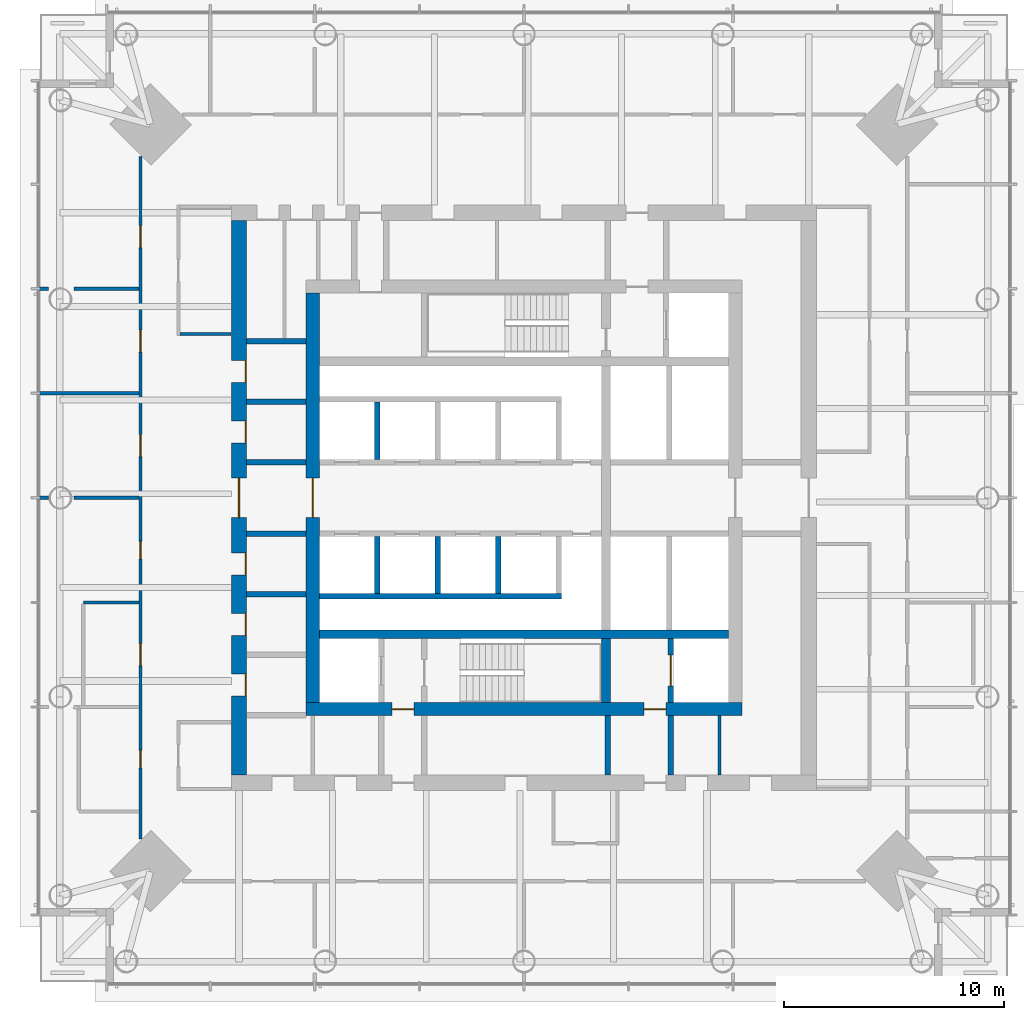
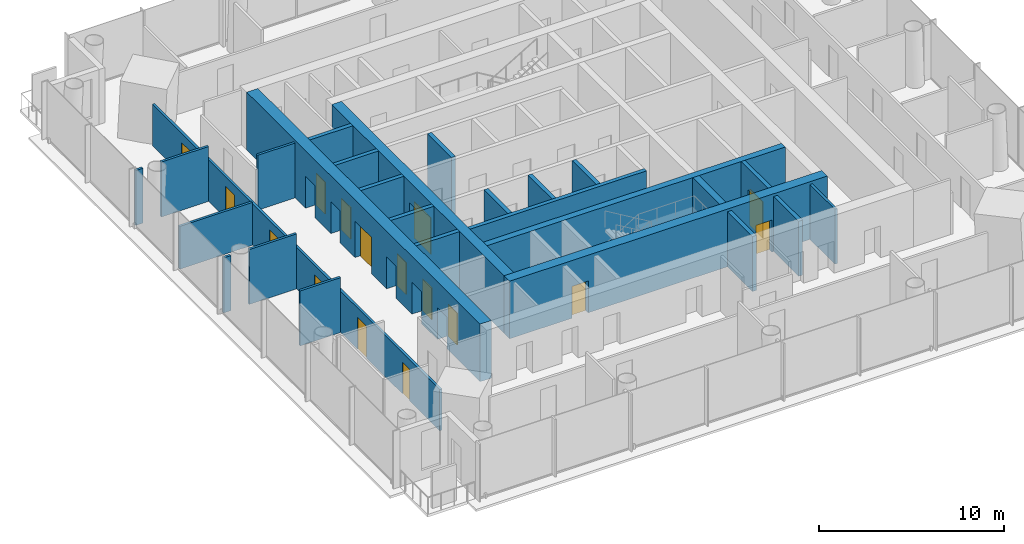
# One storey, part 9 of 27: 27 walls, 16 doors, 16 openings.
"""IFC4 building model written with IfcOpenShell, lengths in metres."""

from ifc_helpers import new_model, si_unit, direction, frame, frame_2d, origin, place, context, subcontext, project, spatial, rectangle, extrude, material, layer, layer_set, type_object, element, fill, save


model = new_model("IFC4")

# Units and contexts
model_context = context("Model", 3, precision=1e-05, world=origin(), true_north=direction((0.0, 1.0)))
body_context = subcontext(model_context, "Body", "Model", "MODEL_VIEW")
ifc_project = project(units=[si_unit("LENGTHUNIT", "METRE"), si_unit("AREAUNIT", "SQUARE_METRE"), si_unit("VOLUMEUNIT", "CUBIC_METRE"), si_unit("PLANEANGLEUNIT", "RADIAN"), si_unit("MASSUNIT", "GRAM", prefix="KILO")], contexts=[model_context])

# Site, building, storey
site_placement = place(None, origin())
site = spatial("IfcSite", under=ifc_project, at=site_placement, CompositionType="ELEMENT")
building_placement = place(site_placement, origin())
building = spatial("IfcBuilding", under=site, at=building_placement, Name="Ostroluk Exchange", CompositionType="ELEMENT")
storey_placement = place(building_placement, frame((0.0, 0.0, 112.199951171875)))
storey = spatial("IfcBuildingStorey", under=building, at=storey_placement, Name="L28", CompositionType="ELEMENT", Elevation=112.199951171875)

# Walls
ifc_material_1 = material(Name="Concrete blockwork", Category="masonry")
ifc_layer_1 = layer(ifc_material_1, 0.14990234375)
ifc_layer_set_1 = layer_set([ifc_layer_1], Name="Blockwork plant room wall 150")
wall_type_1 = type_object("IfcWallType", Name="Blockwork plant room wall 150", PredefinedType="SOLIDWALL", material=ifc_layer_set_1)
wall_1_placement = place(storey_placement, frame((53.887939453125, 33.39990234375, 0.0), z_axis=(0.0, 0.0, 1.0), x_axis=(0.0, 1.0, 0.0)))
element("IfcWall", 1, at=wall_1_placement, inside=storey, type_object=wall_type_1, Name="Core room wall", PredefinedType="SOLIDWALL", context=body_context, shape_type="SweptSolid", body=[
    extrude(rectangle(XDim=2.7001953125, YDim=0.14990234375, at=frame_2d((1.35009765625, 0.0))), origin(), (0.0, 0.0, 1.0), 3.6201171875),
])
ifc_material_2 = material(Name="Concrete blockwork", Category="masonry")
ifc_layer_2 = layer(ifc_material_2, 0.25)
ifc_layer_set_2 = layer_set([ifc_layer_2], Name="Blockwork stair enclosure wall 250")
wall_type_2 = type_object("IfcWallType", Name="Blockwork stair enclosure wall 250", PredefinedType="SOLIDWALL", material=ifc_layer_set_2)
for number, where, z_axis, x_axis, name in (
    (2, (48.804931640625, 33.39990234375, 0.0), (0.0, 0.0, 1.0), (0.0, 1.0, 0.0), "Service lobby enclosure wall"),
    (3, (51.675048828125, 33.39990234375, 0.0), (0.0, 0.0, 1.0), (0.0, 1.0, 0.0), "Service lobby enclosure wall"),
):
    element("IfcWall", number, at=place(storey_placement, frame(where, z_axis=z_axis, x_axis=x_axis)), inside=storey, type_object=wall_type_2, Name=name, PredefinedType="SOLIDWALL", context=body_context, shape_type="SweptSolid", body=[
        extrude(rectangle(XDim=2.7001953125, YDim=0.25, at=frame_2d((1.35009765625, 0.0))), origin(), (0.0, 0.0, 1.0), 3.6201171875),
    ])
ifc_material_3 = material(Name="Concrete C50/60", Category="concrete")
ifc_layer_3 = layer(ifc_material_3, 0.39990234375)
ifc_layer_set_3 = layer_set([ifc_layer_3], Name="Core cross wall 400 C50/60")
wall_type_3 = type_object("IfcWallType", Name="Core cross wall 400 C50/60", PredefinedType="SHEAR", material=ifc_layer_set_3)
wall_2_placement = place(storey_placement, frame((35.699951171875, 39.800048828125, 0.0), z_axis=(0.0, 0.0, 1.0), x_axis=(1.0, 0.0, 0.0)))
element("IfcWall", 4, at=wall_2_placement, inside=storey, type_object=wall_type_3, Name="T1 core wall XS", PredefinedType="SHEAR", context=body_context, shape_type="SweptSolid", body=[
    extrude(rectangle(XDim=18.60009765625, YDim=0.39990234375, at=frame_2d((9.300048828125, 0.0))), origin(), (0.0, 0.0, 1.0), 3.800048828125),
])
wall_3_placement = place(storey_placement, frame((48.72998046875, 36.699951171875, 0.0), z_axis=(0.0, 0.0, 1.0), x_axis=(0.0, 1.0, 0.0)))
element("IfcWall", 5, at=wall_3_placement, inside=storey, type_object=wall_type_3, Name="T1 core wall YE1", PredefinedType="SHEAR", context=body_context, shape_type="SweptSolid", body=[
    extrude(rectangle(XDim=2.900146484375, YDim=0.39990234375, at=frame_2d((1.4501953125, 0.0))), origin(), (0.0, 0.0, 1.0), 3.800048828125),
])

# Wall, opening, door
ifc_material_4 = material(Name="Concrete C40/50", Category="concrete")
ifc_layer_4 = layer(ifc_material_4, 0.25)
ifc_layer_set_4 = layer_set([ifc_layer_4], Name="Core shaft wall 250")
wall_type_4 = type_object("IfcWallType", Name="Core shaft wall 250", PredefinedType="SHEAR", material=ifc_layer_set_4)
wall_4_placement = place(storey_placement, frame((51.675048828125, 36.699951171875, 0.0), z_axis=(0.0, 0.0, 1.0), x_axis=(0.0, 1.0, 0.0)))
wall_4 = element("IfcWall", 6, at=wall_4_placement, inside=storey, type_object=wall_type_4, Name="Service lift shaft wall", PredefinedType="SHEAR", context=body_context, shape_type="SweptSolid", body=[
    extrude(rectangle(XDim=2.900146484375, YDim=0.25, at=frame_2d((1.4501953125, 0.0))), origin(), (0.0, 0.0, 1.0), 3.800048828125),
])
opening_1_placement = place(wall_4_placement, frame((0.75, 0.0, 0.0)))
opening_1 = element("IfcOpeningElement", 7, at=opening_1_placement, cuts=wall_4, Name="Opening LD3", PredefinedType="OPENING", context=body_context, shape_type="SweptSolid", body=[
    extrude(rectangle(XDim=1.39990234375, YDim=2.39990234375, at=frame_2d((0.699951171875, 1.199951171875))), frame((0.0, 0.135009765625, 0.0), z_axis=(0.0, -1.0, 0.0), x_axis=(1.0, 0.0, 0.0)), (0.0, 0.0, 1.0), 0.27001953125),
])
ifc_material_5 = material(Name="Stainless steel", Category="steel")
door_type_1 = type_object("IfcDoorType", Name="Goods lift landing door E 60 1400 x 2400", OperationType="DOUBLE_DOOR_SLIDING", PredefinedType="DOOR", material=ifc_material_5)
door_1_placement = place(opening_1_placement, origin())
door_1 = element("IfcDoor", 8, at=door_1_placement, inside=storey, type_object=door_type_1, Name="Lift SL1 landing door", OperationType="DOUBLE_DOOR_SLIDING", OverallHeight=2.39990234375, OverallWidth=1.39990234375, PredefinedType="DOOR", context=body_context, shape_type="SweptSolid", body=[
    extrude(rectangle(XDim=1.39990234375, YDim=2.39990234375, at=frame_2d((0.699951171875, 1.199951171875))), frame((0.0, 0.02490234375, 0.0), z_axis=(0.0, -1.0, 0.0), x_axis=(1.0, 0.0, 0.0)), (0.0, 0.0, 1.0), 0.050048828125),
])
fill(opening_1, door_1)

# Walls
for number, where, z_axis, x_axis, name in (
    (9, (38.324951171875, 47.75, 0.0), (0.0, 0.0, 1.0), (0.0, 1.0, 0.0), "Lift shaft wall"),
    (10, (38.324951171875, 44.25, 0.0), (0.0, 0.0, 1.0), (0.0, -1.0, 0.0), "Lift shaft wall"),
    (11, (41.074951171875, 44.25, 0.0), (0.0, 0.0, 1.0), (0.0, -1.0, 0.0), "Lift shaft wall"),
    (12, (43.824951171875, 44.25, 0.0), (0.0, 0.0, 1.0), (0.0, -1.0, 0.0), "Lift shaft wall"),
):
    element("IfcWall", number, at=place(storey_placement, frame(where, z_axis=z_axis, x_axis=x_axis)), inside=storey, type_object=wall_type_4, Name=name, PredefinedType="SHEAR", context=body_context, shape_type="SweptSolid", body=[
        extrude(rectangle(XDim=2.60009765625, YDim=0.25, at=frame_2d((1.300048828125, 0.0))), origin(), (0.0, 0.0, 1.0), 3.800048828125),
    ])
wall_5_placement = place(storey_placement, frame((35.699951171875, 41.52490234375, 0.0), z_axis=(0.0, 0.0, 1.0), x_axis=(1.0, 0.0, 0.0)))
element("IfcWall", 13, at=wall_5_placement, inside=storey, type_object=wall_type_4, Name="Lift shaft wall", PredefinedType="SHEAR", context=body_context, shape_type="SweptSolid", body=[
    extrude(rectangle(XDim=11.0, YDim=0.25, at=frame_2d((5.5, 0.0))), origin(), (0.0, 0.0, 1.0), 3.800048828125),
])
for number, where, z_axis, x_axis, name in (
    (14, (32.39990234375, 41.625, 0.0), (0.0, 0.0, 1.0), (1.0, 0.0, 0.0), "Lift shaft wall"),
    (15, (32.39990234375, 44.375, 0.0), (0.0, 0.0, 1.0), (1.0, 0.0, 0.0), "Lift shaft wall"),
    (16, (32.39990234375, 47.625, 0.0), (0.0, 0.0, 1.0), (1.0, 0.0, 0.0), "Lift shaft wall"),
    (17, (32.39990234375, 50.375, 0.0), (0.0, 0.0, 1.0), (1.0, 0.0, 0.0), "Lift shaft wall"),
    (18, (32.39990234375, 53.125, 0.0), (0.0, 0.0, 1.0), (1.0, 0.0, 0.0), "Lift shaft wall"),
):
    element("IfcWall", number, at=place(storey_placement, frame(where, z_axis=z_axis, x_axis=x_axis)), inside=storey, type_object=wall_type_4, Name=name, PredefinedType="SHEAR", context=body_context, shape_type="SweptSolid", body=[
        extrude(rectangle(XDim=2.7001953125, YDim=0.25, at=frame_2d((1.35009765625, 0.0))), origin(), (0.0, 0.0, 1.0), 3.800048828125),
    ])

# Wall, openings, doors
ifc_material_6 = material(Name="Concrete C50/60", Category="concrete")
ifc_layer_5 = layer(ifc_material_6, 0.60009765625)
ifc_layer_set_5 = layer_set([ifc_layer_5], Name="Core wall 600 C50/60")
wall_type_5 = type_object("IfcWallType", Name="Core wall 600 C50/60", PredefinedType="SHEAR", material=ifc_layer_set_5)
wall_6_placement = place(storey_placement, frame((35.10009765625, 36.39990234375, 0.0), z_axis=(0.0, 0.0, 1.0), x_axis=(1.0, 0.0, 0.0)))
wall_6 = element("IfcWall", 19, at=wall_6_placement, inside=storey, type_object=wall_type_5, Name="T1 core wall S", PredefinedType="SHEAR", context=body_context, shape_type="SweptSolid", body=[
    extrude(rectangle(XDim=19.7998046875, YDim=0.60009765625, at=frame_2d((9.89990234375, 0.0))), origin(), (0.0, 0.0, 1.0), 3.800048828125),
])
opening_2_placement = place(wall_6_placement, frame((3.89990234375, 0.0, 0.0)))
opening_2 = element("IfcOpeningElement", 20, at=opening_2_placement, cuts=wall_6, Name="Opening FD60", PredefinedType="OPENING", context=body_context, shape_type="SweptSolid", body=[
    extrude(rectangle(XDim=1.0, YDim=2.10009765625, at=frame_2d((0.5, 1.050048828125))), frame((0.0, 0.31005859375, 0.0), z_axis=(0.0, -1.0, 0.0), x_axis=(1.0, 0.0, 0.0)), (0.0, 0.0, 1.0), 0.6201171875),
])
opening_3_placement = place(wall_6_placement, frame((15.35009765625, 0.0, 0.0)))
opening_3 = element("IfcOpeningElement", 21, at=opening_3_placement, cuts=wall_6, Name="Opening FD60", PredefinedType="OPENING", context=body_context, shape_type="SweptSolid", body=[
    extrude(rectangle(XDim=1.0, YDim=2.10009765625, at=frame_2d((0.5, 1.050048828125))), frame((0.0, 0.31005859375, 0.0), z_axis=(0.0, -1.0, 0.0), x_axis=(1.0, 0.0, 0.0)), (0.0, 0.0, 1.0), 0.6201171875),
])
ifc_material_7 = material(Name="Steel", Category="steel")
door_type_2 = type_object("IfcDoorType", Name="Fire door EI 60 1000 x 2100", OperationType="SINGLE_SWING_LEFT", PredefinedType="DOOR", material=ifc_material_7)
door_2_placement = place(opening_2_placement, origin())
door_2 = element("IfcDoor", 22, at=door_2_placement, inside=storey, type_object=door_type_2, Name="Firefighting lobby door", OperationType="SINGLE_SWING_LEFT", OverallHeight=2.10009765625, OverallWidth=1.0, PredefinedType="DOOR", context=body_context, shape_type="SweptSolid", body=[
    extrude(rectangle(XDim=1.0, YDim=2.10009765625, at=frame_2d((0.5, 1.050048828125))), frame((0.0, 0.02490234375, 0.0), z_axis=(0.0, -1.0, 0.0), x_axis=(1.0, 0.0, 0.0)), (0.0, 0.0, 1.0), 0.050048828125),
])
fill(opening_2, door_2)
door_3_placement = place(opening_3_placement, origin())
door_3 = element("IfcDoor", 23, at=door_3_placement, inside=storey, type_object=door_type_2, Name="Service lobby door", OperationType="SINGLE_SWING_RIGHT", OverallHeight=2.10009765625, OverallWidth=1.0, PredefinedType="DOOR", context=body_context, shape_type="SweptSolid", body=[
    extrude(rectangle(XDim=1.0, YDim=2.10009765625, at=frame_2d((0.5, 1.050048828125))), frame((0.0, 0.02490234375, 0.0), z_axis=(0.0, -1.0, 0.0), x_axis=(1.0, 0.0, 0.0)), (0.0, 0.0, 1.0), 0.050048828125),
])
fill(opening_3, door_3)

# Wall, opening, door
wall_7_placement = place(storey_placement, frame((35.39990234375, 36.699951171875, 0.0), z_axis=(0.0, 0.0, 1.0), x_axis=(0.0, 1.0, 0.0)))
wall_7 = element("IfcWall", 24, at=wall_7_placement, inside=storey, type_object=wall_type_5, Name="T1 core wall W", PredefinedType="SHEAR", context=body_context, shape_type="SweptSolid", body=[
    extrude(rectangle(XDim=18.60009765625, YDim=0.60009765625, at=frame_2d((9.300048828125, 0.0))), origin(), (0.0, 0.0, 1.0), 3.800048828125),
])
opening_4_placement = place(wall_7_placement, frame((8.39990234375, 0.0, 0.0)))
opening_4 = element("IfcOpeningElement", 25, at=opening_4_placement, cuts=wall_7, Name="Opening FD30D", PredefinedType="OPENING", context=body_context, shape_type="SweptSolid", body=[
    extrude(rectangle(XDim=1.800048828125, YDim=2.39990234375, at=frame_2d((0.89990234375, 1.199951171875))), frame((0.0, 0.31005859375, 0.0), z_axis=(0.0, -1.0, 0.0), x_axis=(1.0, 0.0, 0.0)), (0.0, 0.0, 1.0), 0.6201171875),
])
ifc_material_8 = material(Name="Timber", Category="wood")
door_type_3 = type_object("IfcDoorType", Name="Lobby double door EI 30 1800 x 2400", OperationType="DOUBLE_DOOR_SINGLE_SWING", PredefinedType="DOOR", material=ifc_material_8)
door_4_placement = place(opening_4_placement, origin())
door_4 = element("IfcDoor", 26, at=door_4_placement, inside=storey, type_object=door_type_3, Name="Lift lobby doors", OperationType="DOUBLE_DOOR_SINGLE_SWING", OverallHeight=2.39990234375, OverallWidth=1.800048828125, PredefinedType="DOOR", context=body_context, shape_type="SweptSolid", body=[
    extrude(rectangle(XDim=1.800048828125, YDim=2.39990234375, at=frame_2d((0.89990234375, 1.199951171875))), frame((0.0, 0.02490234375, 0.0), z_axis=(0.0, -1.0, 0.0), x_axis=(1.0, 0.0, 0.0)), (0.0, 0.0, 1.0), 0.050048828125),
])
fill(opening_4, door_4)

# Wall, openings, doors
ifc_material_9 = material(Name="Concrete C50/60", Category="concrete")
ifc_layer_6 = layer(ifc_material_9, 0.699951171875)
ifc_layer_set_6 = layer_set([ifc_layer_6], Name="Core wall 700 C50/60")
wall_type_6 = type_object("IfcWallType", Name="Core wall 700 C50/60", PredefinedType="SHEAR", material=ifc_layer_set_6)
wall_8_placement = place(storey_placement, frame((32.050048828125, 33.39990234375, 0.0), z_axis=(0.0, 0.0, 1.0), x_axis=(0.0, 1.0, 0.0)))
wall_8 = element("IfcWall", 27, at=wall_8_placement, inside=storey, type_object=wall_type_6, Name="T1 core wall RW", PredefinedType="SHEAR", context=body_context, shape_type="SweptSolid", body=[
    extrude(rectangle(XDim=25.2001953125, YDim=0.699951171875, at=frame_2d((12.60009765625, 0.0))), origin(), (0.0, 0.0, 1.0), 3.800048828125),
])
opening_5_placement = place(wall_8_placement, frame((11.699951171875, 0.0, 0.0)))
opening_5 = element("IfcOpeningElement", 28, at=opening_5_placement, cuts=wall_8, Name="Opening FD30D", PredefinedType="OPENING", context=body_context, shape_type="SweptSolid", body=[
    extrude(rectangle(XDim=1.800048828125, YDim=2.39990234375, at=frame_2d((0.89990234375, 1.199951171875))), frame((0.0, 0.35986328125, 0.0), z_axis=(0.0, -1.0, 0.0), x_axis=(1.0, 0.0, 0.0)), (0.0, 0.0, 1.0), 0.719970703125),
])
opening_6_placement = place(wall_8_placement, frame((3.60009765625, 0.0, 0.0)))
opening_6 = element("IfcOpeningElement", 29, at=opening_6_placement, cuts=wall_8, Name="Opening FD60", PredefinedType="OPENING", context=body_context, shape_type="SweptSolid", body=[
    extrude(rectangle(XDim=1.0, YDim=2.10009765625, at=frame_2d((0.5, 1.050048828125))), frame((0.0, 0.35986328125, 0.0), z_axis=(0.0, -1.0, 0.0), x_axis=(1.0, 0.0, 0.0)), (0.0, 0.0, 1.0), 0.719970703125),
])
opening_7_placement = place(wall_8_placement, frame((6.35009765625, 0.0, 0.0)))
opening_7 = element("IfcOpeningElement", 30, at=opening_7_placement, cuts=wall_8, Name="Opening FD60", PredefinedType="OPENING", context=body_context, shape_type="SweptSolid", body=[
    extrude(rectangle(XDim=1.0, YDim=2.10009765625, at=frame_2d((0.5, 1.050048828125))), frame((0.0, 0.35986328125, 0.0), z_axis=(0.0, -1.0, 0.0), x_axis=(1.0, 0.0, 0.0)), (0.0, 0.0, 1.0), 0.719970703125),
])
opening_8_placement = place(wall_8_placement, frame((9.10009765625, 0.0, 0.0)))
opening_8 = element("IfcOpeningElement", 31, at=opening_8_placement, cuts=wall_8, Name="Opening FD60", PredefinedType="OPENING", context=body_context, shape_type="SweptSolid", body=[
    extrude(rectangle(XDim=1.0, YDim=2.10009765625, at=frame_2d((0.5, 1.050048828125))), frame((0.0, 0.35986328125, 0.0), z_axis=(0.0, -1.0, 0.0), x_axis=(1.0, 0.0, 0.0)), (0.0, 0.0, 1.0), 0.719970703125),
])
opening_9_placement = place(wall_8_placement, frame((15.10009765625, 0.0, 0.0)))
opening_9 = element("IfcOpeningElement", 32, at=opening_9_placement, cuts=wall_8, Name="Opening FD60", PredefinedType="OPENING", context=body_context, shape_type="SweptSolid", body=[
    extrude(rectangle(XDim=1.0, YDim=2.10009765625, at=frame_2d((0.5, 1.050048828125))), frame((0.0, 0.35986328125, 0.0), z_axis=(0.0, -1.0, 0.0), x_axis=(1.0, 0.0, 0.0)), (0.0, 0.0, 1.0), 0.719970703125),
])
opening_10_placement = place(wall_8_placement, frame((17.85009765625, 0.0, 0.0)))
opening_10 = element("IfcOpeningElement", 33, at=opening_10_placement, cuts=wall_8, Name="Opening FD60", PredefinedType="OPENING", context=body_context, shape_type="SweptSolid", body=[
    extrude(rectangle(XDim=1.0, YDim=2.10009765625, at=frame_2d((0.5, 1.050048828125))), frame((0.0, 0.35986328125, 0.0), z_axis=(0.0, -1.0, 0.0), x_axis=(1.0, 0.0, 0.0)), (0.0, 0.0, 1.0), 0.719970703125),
])
door_5_placement = place(opening_6_placement, origin())
door_5 = element("IfcDoor", 34, at=door_5_placement, inside=storey, type_object=door_type_2, Name="Tenant IT room door", OperationType="SINGLE_SWING_LEFT", OverallHeight=2.10009765625, OverallWidth=1.0, PredefinedType="DOOR", context=body_context, shape_type="SweptSolid", body=[
    extrude(rectangle(XDim=1.0, YDim=2.10009765625, at=frame_2d((0.5, 1.050048828125))), frame((0.0, -0.2900390625, 0.0), z_axis=(0.0, -1.0, 0.0), x_axis=(1.0, 0.0, 0.0)), (0.0, 0.0, 1.0), 0.050048828125),
])
fill(opening_6, door_5)
door_6_placement = place(opening_7_placement, origin())
door_6 = element("IfcDoor", 35, at=door_6_placement, inside=storey, type_object=door_type_2, Name="Store door", OperationType="SINGLE_SWING_LEFT", OverallHeight=2.10009765625, OverallWidth=1.0, PredefinedType="DOOR", context=body_context, shape_type="SweptSolid", body=[
    extrude(rectangle(XDim=1.0, YDim=2.10009765625, at=frame_2d((0.5, 1.050048828125))), frame((0.0, -0.2900390625, 0.0), z_axis=(0.0, -1.0, 0.0), x_axis=(1.0, 0.0, 0.0)), (0.0, 0.0, 1.0), 0.050048828125),
])
fill(opening_7, door_6)
door_7_placement = place(opening_8_placement, origin())
door_7 = element("IfcDoor", 36, at=door_7_placement, inside=storey, type_object=door_type_2, Name="Tenant IT room door", OperationType="SINGLE_SWING_LEFT", OverallHeight=2.10009765625, OverallWidth=1.0, PredefinedType="DOOR", context=body_context, shape_type="SweptSolid", body=[
    extrude(rectangle(XDim=1.0, YDim=2.10009765625, at=frame_2d((0.5, 1.050048828125))), frame((0.0, -0.2900390625, 0.0), z_axis=(0.0, -1.0, 0.0), x_axis=(1.0, 0.0, 0.0)), (0.0, 0.0, 1.0), 0.050048828125),
])
fill(opening_8, door_7)
door_8_placement = place(opening_9_placement, origin())
door_8 = element("IfcDoor", 37, at=door_8_placement, inside=storey, type_object=door_type_2, Name="Store door", OperationType="SINGLE_SWING_RIGHT", OverallHeight=2.10009765625, OverallWidth=1.0, PredefinedType="DOOR", context=body_context, shape_type="SweptSolid", body=[
    extrude(rectangle(XDim=1.0, YDim=2.10009765625, at=frame_2d((0.5, 1.050048828125))), frame((0.0, -0.2900390625, 0.0), z_axis=(0.0, -1.0, 0.0), x_axis=(1.0, 0.0, 0.0)), (0.0, 0.0, 1.0), 0.050048828125),
])
fill(opening_9, door_8)
door_9_placement = place(opening_10_placement, origin())
door_9 = element("IfcDoor", 38, at=door_9_placement, inside=storey, type_object=door_type_2, Name="Tenant IT room door", OperationType="SINGLE_SWING_RIGHT", OverallHeight=2.10009765625, OverallWidth=1.0, PredefinedType="DOOR", context=body_context, shape_type="SweptSolid", body=[
    extrude(rectangle(XDim=1.0, YDim=2.10009765625, at=frame_2d((0.5, 1.050048828125))), frame((0.0, -0.2900390625, 0.0), z_axis=(0.0, -1.0, 0.0), x_axis=(1.0, 0.0, 0.0)), (0.0, 0.0, 1.0), 0.050048828125),
])
fill(opening_10, door_9)
door_10_placement = place(opening_5_placement, origin())
door_10 = element("IfcDoor", 39, at=door_10_placement, inside=storey, type_object=door_type_3, Name="Lift lobby doors", OperationType="DOUBLE_DOOR_SINGLE_SWING", OverallHeight=2.39990234375, OverallWidth=1.800048828125, PredefinedType="DOOR", context=body_context, shape_type="SweptSolid", body=[
    extrude(rectangle(XDim=1.800048828125, YDim=2.39990234375, at=frame_2d((0.89990234375, 1.199951171875))), frame((0.0, 0.02490234375, 0.0), z_axis=(0.0, -1.0, 0.0), x_axis=(1.0, 0.0, 0.0)), (0.0, 0.0, 1.0), 0.050048828125),
])
fill(opening_5, door_10)

# Wall
ifc_material_10 = material(Name="Gypsum plasterboard partition", Category="gypsum")
ifc_layer_7 = layer(ifc_material_10, 0.14990234375)
ifc_layer_set_7 = layer_set([ifc_layer_7], Name="Plasterboard partition 150")
wall_type_7 = type_object("IfcWallType", Name="Plasterboard partition 150", PredefinedType="PARTITIONING", material=ifc_layer_set_7)
wall_9_placement = place(storey_placement, frame((31.699951171875, 53.449951171875, 0.0), z_axis=(0.0, 0.0, 1.0), x_axis=(-1.0, 0.0, 0.0)))
element("IfcWall", 40, at=wall_9_placement, inside=storey, type_object=wall_type_7, Name="Partition", PredefinedType="PARTITIONING", context=body_context, shape_type="SweptSolid", body=[
    extrude(rectangle(XDim=2.324951171875, YDim=0.14990234375, at=frame_2d((1.16259765625, 0.0))), origin(), (0.0, 0.0, 1.0), 3.6201171875),
])

# Wall, openings, doors
wall_10_placement = place(storey_placement, frame((27.574951171875, 61.511474609375, 0.0), z_axis=(0.0, 0.0, 1.0), x_axis=(0.0, -1.0, 0.0)))
wall_10 = element("IfcWall", 41, at=wall_10_placement, inside=storey, type_object=wall_type_7, Name="Partition", PredefinedType="PARTITIONING", context=body_context, shape_type="SweptSolid", body=[
    extrude(rectangle(XDim=31.02294921875, YDim=0.14990234375, at=frame_2d((15.511474609375, 0.0))), origin(), (0.0, 0.0, 1.0), 2.719970703125),
])
opening_11_placement = place(wall_10_placement, frame((3.136474609375, 0.0, 0.0)))
opening_11 = element("IfcOpeningElement", 42, at=opening_11_placement, cuts=wall_10, Name="Opening D-03", PredefinedType="OPENING", context=body_context, shape_type="SweptSolid", body=[
    extrude(rectangle(XDim=1.0, YDim=2.10009765625, at=frame_2d((0.5, 1.050048828125))), frame((0.0, 0.0849609375, 0.0), z_axis=(0.0, -1.0, 0.0), x_axis=(1.0, 0.0, 0.0)), (0.0, 0.0, 1.0), 0.169921875),
])
opening_12_placement = place(wall_10_placement, frame((7.886474609375, 0.0, 0.0)))
opening_12 = element("IfcOpeningElement", 43, at=opening_12_placement, cuts=wall_10, Name="Opening D-03", PredefinedType="OPENING", context=body_context, shape_type="SweptSolid", body=[
    extrude(rectangle(XDim=1.0, YDim=2.10009765625, at=frame_2d((0.5, 1.050048828125))), frame((0.0, 0.0849609375, 0.0), z_axis=(0.0, -1.0, 0.0), x_axis=(1.0, 0.0, 0.0)), (0.0, 0.0, 1.0), 0.169921875),
])
opening_13_placement = place(wall_10_placement, frame((12.636474609375, 0.0, 0.0)))
opening_13 = element("IfcOpeningElement", 44, at=opening_13_placement, cuts=wall_10, Name="Opening D-03", PredefinedType="OPENING", context=body_context, shape_type="SweptSolid", body=[
    extrude(rectangle(XDim=1.0, YDim=2.10009765625, at=frame_2d((0.5, 1.050048828125))), frame((0.0, 0.0849609375, 0.0), z_axis=(0.0, -1.0, 0.0), x_axis=(1.0, 0.0, 0.0)), (0.0, 0.0, 1.0), 0.169921875),
])
opening_14_placement = place(wall_10_placement, frame((17.486572265625, 0.0, 0.0)))
opening_14 = element("IfcOpeningElement", 45, at=opening_14_placement, cuts=wall_10, Name="Opening D-06", PredefinedType="OPENING", context=body_context, shape_type="SweptSolid", body=[
    extrude(rectangle(XDim=0.800048828125, YDim=2.10009765625, at=frame_2d((0.39990234375, 1.050048828125))), frame((0.0, 0.0849609375, 0.0), z_axis=(0.0, -1.0, 0.0), x_axis=(1.0, 0.0, 0.0)), (0.0, 0.0, 1.0), 0.169921875),
])
opening_15_placement = place(wall_10_placement, frame((22.136474609375, 0.0, 0.0)))
opening_15 = element("IfcOpeningElement", 46, at=opening_15_placement, cuts=wall_10, Name="Opening D-03", PredefinedType="OPENING", context=body_context, shape_type="SweptSolid", body=[
    extrude(rectangle(XDim=1.0, YDim=2.10009765625, at=frame_2d((0.5, 1.050048828125))), frame((0.0, 0.0849609375, 0.0), z_axis=(0.0, -1.0, 0.0), x_axis=(1.0, 0.0, 0.0)), (0.0, 0.0, 1.0), 0.169921875),
])
opening_16_placement = place(wall_10_placement, frame((26.986572265625, 0.0, 0.0)))
opening_16 = element("IfcOpeningElement", 47, at=opening_16_placement, cuts=wall_10, Name="Opening D-06", PredefinedType="OPENING", context=body_context, shape_type="SweptSolid", body=[
    extrude(rectangle(XDim=0.800048828125, YDim=2.10009765625, at=frame_2d((0.39990234375, 1.050048828125))), frame((0.0, 0.0849609375, 0.0), z_axis=(0.0, -1.0, 0.0), x_axis=(1.0, 0.0, 0.0)), (0.0, 0.0, 1.0), 0.169921875),
])
ifc_material_11 = material(Name="Timber", Category="wood")
door_type_4 = type_object("IfcDoorType", Name="Internal door 1000 x 2100", OperationType="SINGLE_SWING_LEFT", PredefinedType="DOOR", material=ifc_material_11)
door_11_placement = place(opening_11_placement, origin())
door_11 = element("IfcDoor", 48, at=door_11_placement, inside=storey, type_object=door_type_4, Name="Office suite door", OperationType="SINGLE_SWING_LEFT", OverallHeight=2.10009765625, OverallWidth=1.0, PredefinedType="DOOR", context=body_context, shape_type="SweptSolid", body=[
    extrude(rectangle(XDim=1.0, YDim=2.10009765625, at=frame_2d((0.5, 1.050048828125))), frame((0.0, 0.02490234375, 0.0), z_axis=(0.0, -1.0, 0.0), x_axis=(1.0, 0.0, 0.0)), (0.0, 0.0, 1.0), 0.050048828125),
])
fill(opening_11, door_11)
door_12_placement = place(opening_12_placement, origin())
door_12 = element("IfcDoor", 49, at=door_12_placement, inside=storey, type_object=door_type_4, Name="Meeting room door", OperationType="SINGLE_SWING_LEFT", OverallHeight=2.10009765625, OverallWidth=1.0, PredefinedType="DOOR", context=body_context, shape_type="SweptSolid", body=[
    extrude(rectangle(XDim=1.0, YDim=2.10009765625, at=frame_2d((0.5, 1.050048828125))), frame((0.0, 0.02490234375, 0.0), z_axis=(0.0, -1.0, 0.0), x_axis=(1.0, 0.0, 0.0)), (0.0, 0.0, 1.0), 0.050048828125),
])
fill(opening_12, door_12)
door_13_placement = place(opening_13_placement, origin())
door_13 = element("IfcDoor", 50, at=door_13_placement, inside=storey, type_object=door_type_4, Name="Focus room door", OperationType="SINGLE_SWING_LEFT", OverallHeight=2.10009765625, OverallWidth=1.0, PredefinedType="DOOR", context=body_context, shape_type="SweptSolid", body=[
    extrude(rectangle(XDim=1.0, YDim=2.10009765625, at=frame_2d((0.5, 1.050048828125))), frame((0.0, 0.02490234375, 0.0), z_axis=(0.0, -1.0, 0.0), x_axis=(1.0, 0.0, 0.0)), (0.0, 0.0, 1.0), 0.050048828125),
])
fill(opening_13, door_13)
door_14_placement = place(opening_15_placement, origin())
door_14 = element("IfcDoor", 51, at=door_14_placement, inside=storey, type_object=door_type_4, Name="Accessible WC door", OperationType="SINGLE_SWING_RIGHT", OverallHeight=2.10009765625, OverallWidth=1.0, PredefinedType="DOOR", context=body_context, shape_type="SweptSolid", body=[
    extrude(rectangle(XDim=1.0, YDim=2.10009765625, at=frame_2d((0.5, 1.050048828125))), frame((0.0, 0.02490234375, 0.0), z_axis=(0.0, -1.0, 0.0), x_axis=(1.0, 0.0, 0.0)), (0.0, 0.0, 1.0), 0.050048828125),
])
fill(opening_15, door_14)
ifc_material_12 = material(Name="Timber", Category="wood")
door_type_5 = type_object("IfcDoorType", Name="Toilet door 800 x 2100", OperationType="SINGLE_SWING_LEFT", PredefinedType="DOOR", material=ifc_material_12)
door_15_placement = place(opening_14_placement, origin())
door_15 = element("IfcDoor", 52, at=door_15_placement, inside=storey, type_object=door_type_5, Name="WC female door", OperationType="SINGLE_SWING_RIGHT", OverallHeight=2.10009765625, OverallWidth=0.800048828125, PredefinedType="DOOR", context=body_context, shape_type="SweptSolid", body=[
    extrude(rectangle(XDim=0.800048828125, YDim=2.10009765625, at=frame_2d((0.39990234375, 1.050048828125))), frame((0.0, 0.02490234375, 0.0), z_axis=(0.0, -1.0, 0.0), x_axis=(1.0, 0.0, 0.0)), (0.0, 0.0, 1.0), 0.050048828125),
])
fill(opening_14, door_15)
door_16_placement = place(opening_16_placement, origin())
door_16 = element("IfcDoor", 53, at=door_16_placement, inside=storey, type_object=door_type_5, Name="WC male door", OperationType="SINGLE_SWING_RIGHT", OverallHeight=2.10009765625, OverallWidth=0.800048828125, PredefinedType="DOOR", context=body_context, shape_type="SweptSolid", body=[
    extrude(rectangle(XDim=0.800048828125, YDim=2.10009765625, at=frame_2d((0.39990234375, 1.050048828125))), frame((0.0, 0.02490234375, 0.0), z_axis=(0.0, -1.0, 0.0), x_axis=(1.0, 0.0, 0.0)), (0.0, 0.0, 1.0), 0.050048828125),
])
fill(opening_16, door_16)

# Walls
wall_11_placement = place(storey_placement, frame((27.5, 55.5, 0.0), z_axis=(0.0, 0.0, 1.0), x_axis=(-1.0, 0.0, 0.0)))
element("IfcWall", 54, at=wall_11_placement, inside=storey, type_object=wall_type_7, Name="Partition", PredefinedType="PARTITIONING", context=body_context, shape_type="SweptSolid", body=[
    extrude(rectangle(XDim=2.956298828125, YDim=0.14990234375, at=frame_2d((1.47802734375, 0.0))), origin(), (0.0, 0.0, 1.0), 3.6201171875),
])
wall_12_placement = place(storey_placement, frame((23.40625, 55.5, 0.0), z_axis=(0.0, 0.0, 1.0), x_axis=(-1.0, 0.0, 0.0)))
element("IfcWall", 55, at=wall_12_placement, inside=storey, type_object=wall_type_7, Name="Partition", PredefinedType="PARTITIONING", context=body_context, shape_type="SweptSolid", body=[
    extrude(rectangle(XDim=0.4462890625, YDim=0.14990234375, at=frame_2d((0.22314453125, 0.0))), origin(), (0.0, 0.0, 1.0), 3.6201171875),
])
wall_13_placement = place(storey_placement, frame((27.5, 50.75, 0.0), z_axis=(0.0, 0.0, 1.0), x_axis=(-1.0, 0.0, 0.0)))
element("IfcWall", 56, at=wall_13_placement, inside=storey, type_object=wall_type_7, Name="Partition", PredefinedType="PARTITIONING", context=body_context, shape_type="SweptSolid", body=[
    extrude(rectangle(XDim=4.5400390625, YDim=0.14990234375, at=frame_2d((2.27001953125, 0.0))), origin(), (0.0, 0.0, 1.0), 2.820068359375),
])
wall_14_placement = place(storey_placement, frame((27.5, 46.0, 0.0), z_axis=(0.0, 0.0, 1.0), x_axis=(-1.0, 0.0, 0.0)))
element("IfcWall", 57, at=wall_14_placement, inside=storey, type_object=wall_type_7, Name="Partition", PredefinedType="PARTITIONING", context=body_context, shape_type="SweptSolid", body=[
    extrude(rectangle(XDim=2.956298828125, YDim=0.14990234375, at=frame_2d((1.47802734375, 0.0))), origin(), (0.0, 0.0, 1.0), 3.6201171875),
])
wall_15_placement = place(storey_placement, frame((23.40625, 46.0, 0.0), z_axis=(0.0, 0.0, 1.0), x_axis=(-1.0, 0.0, 0.0)))
element("IfcWall", 58, at=wall_15_placement, inside=storey, type_object=wall_type_7, Name="Partition", PredefinedType="PARTITIONING", context=body_context, shape_type="SweptSolid", body=[
    extrude(rectangle(XDim=0.4462890625, YDim=0.14990234375, at=frame_2d((0.22314453125, 0.0))), origin(), (0.0, 0.0, 1.0), 3.6201171875),
])
wall_16_placement = place(storey_placement, frame((27.5, 41.25, 0.0), z_axis=(0.0, 0.0, 1.0), x_axis=(-1.0, 0.0, 0.0)))
element("IfcWall", 59, at=wall_16_placement, inside=storey, type_object=wall_type_7, Name="Partition", PredefinedType="PARTITIONING", context=body_context, shape_type="SweptSolid", body=[
    extrude(rectangle(XDim=2.52490234375, YDim=0.14990234375, at=frame_2d((1.262451171875, 0.0))), origin(), (0.0, 0.0, 1.0), 3.6201171875),
])

save(model, "model.ifc")
